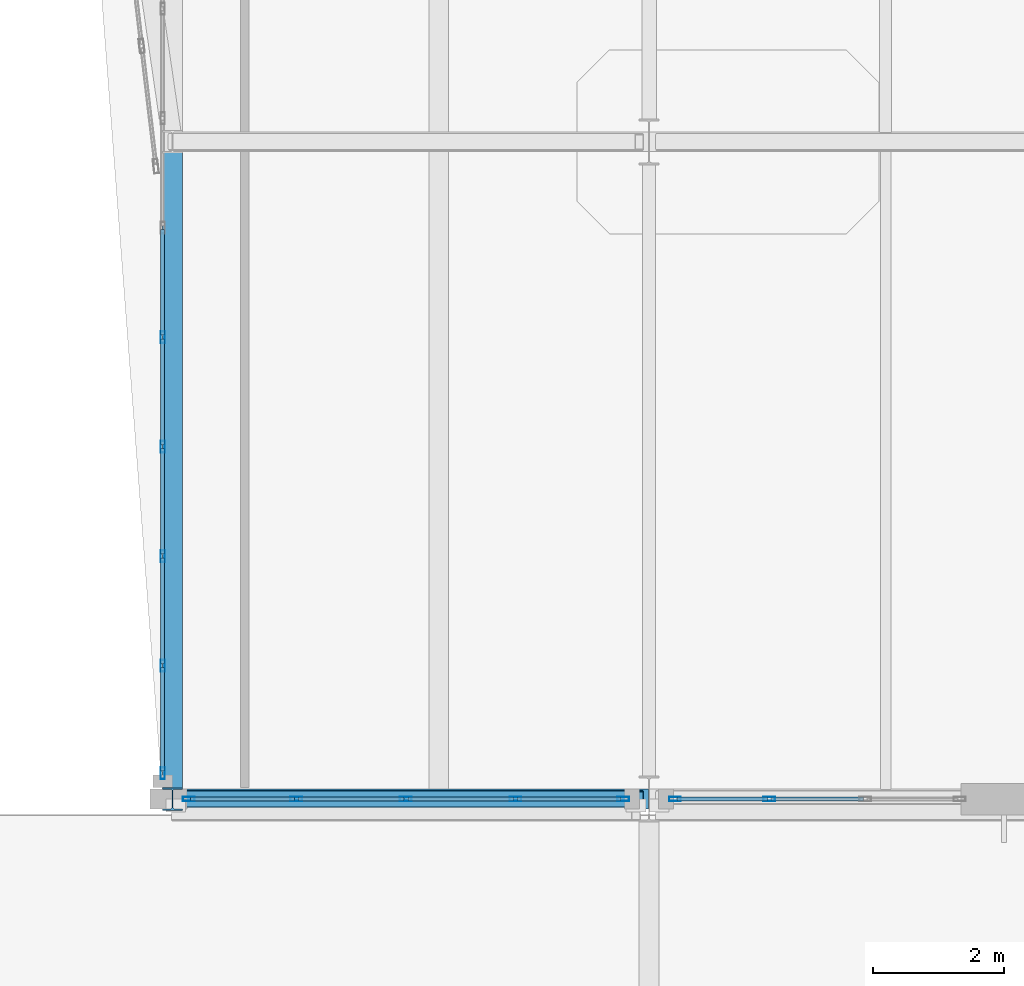
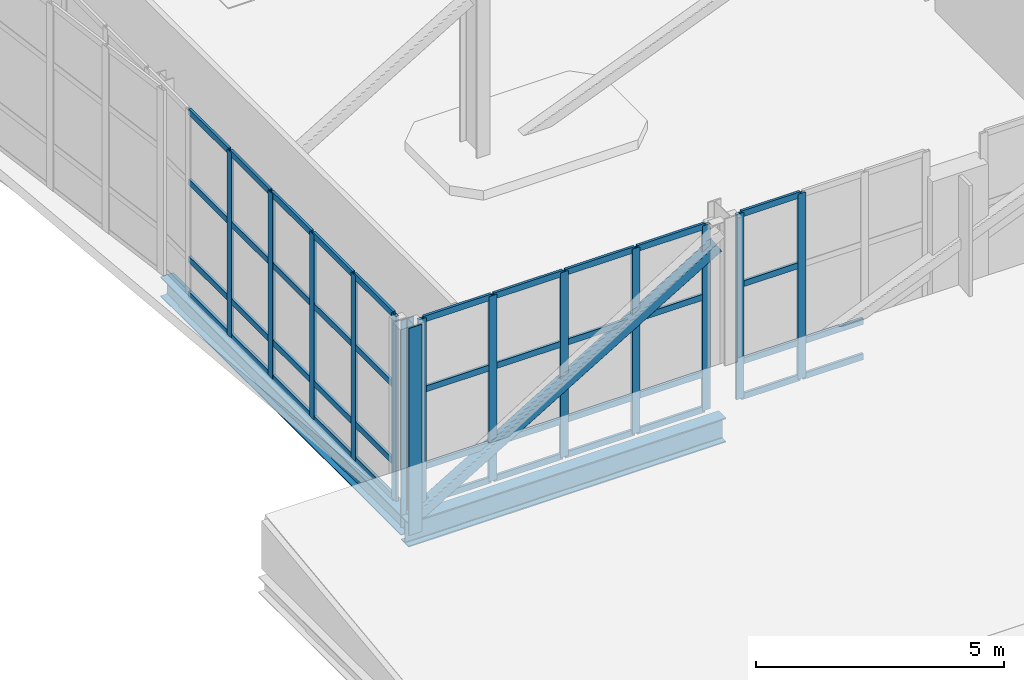
# One storey, part 14 of 100: 56 members, 2 beams, 3 elements without a shape of their own.
"""IFC4 building model written with IfcOpenShell, lengths in metres."""

from ifc_helpers import new_model, si_unit, direction, frame, origin, origin_2d, place, context, subcontext, project, spatial, hollow_rectangle, i_section, extrude, material, layer, layer_set, material_profile, profile_set, type_object, element, aggregate, save


model = new_model("IFC4")

# Units and contexts
model_context = context("Model", 3, precision=1e-05, world=origin(), true_north=direction((0.0, 1.0)))
body_context = subcontext(model_context, "Body", "Model", "MODEL_VIEW")
ifc_project = project(units=[si_unit("LENGTHUNIT", "METRE"), si_unit("AREAUNIT", "SQUARE_METRE"), si_unit("VOLUMEUNIT", "CUBIC_METRE"), si_unit("PLANEANGLEUNIT", "RADIAN"), si_unit("MASSUNIT", "GRAM", prefix="KILO")], contexts=[model_context])

# Site, building, storey
site_placement = place(None, origin())
site = spatial("IfcSite", under=ifc_project, at=site_placement, CompositionType="ELEMENT")
building_placement = place(site_placement, origin())
building = spatial("IfcBuilding", under=site, at=building_placement, Name="Tasgan Crest Museum", CompositionType="ELEMENT")
storey_placement = place(building_placement, frame((0.0, 0.0, 9.60009765625)))
storey = spatial("IfcBuildingStorey", under=building, at=storey_placement, Name="L02", CompositionType="ELEMENT", Elevation=9.60009765625)

# Beams
ifc_material_1 = material(Name="Steel S355K2", Category="steel")
ifc_material_profile_1 = material_profile(ifc_material_1, i_section(OverallWidth=0.300048828125, OverallDepth=0.60009765625, WebThickness=0.015380859375, FlangeThickness=0.030029296875, FilletRadius=0.027099609375, at=origin_2d()), Name="HEB 600")
ifc_profile_set_1 = profile_set([ifc_material_profile_1], Name="Steel S355K2")
beam_type_1 = type_object("IfcBeamType", Name="BM-CANT-G1", PredefinedType="BEAM", material=ifc_profile_set_1)
beam_1_placement = place(storey_placement, frame((3.39990234375, 40.0, -0.56005859375), z_axis=(1.0, 0.0, 0.0), x_axis=(0.0, 1.0, 0.0)))
element("IfcBeam", 1, at=beam_1_placement, inside=storey, type_object=beam_type_1, Name="Cantilever transfer girder BOT E", PredefinedType="BEAM", context=body_context, shape_type="SweptSolid", body=[
    extrude(i_section(OverallWidth=0.300048828125, OverallDepth=0.60009765625, WebThickness=0.015380859375, FlangeThickness=0.030029296875, FilletRadius=0.027099609375, at=origin_2d()), origin(), (0.0, 0.0, 1.0), 7.3935546875),
])
ifc_material_2 = material(Name="Steel S355J2", Category="steel")
ifc_material_profile_2 = material_profile(ifc_material_2, i_section(OverallWidth=0.300048828125, OverallDepth=0.489990234375, WebThickness=0.011962890625, FlangeThickness=0.02294921875, FilletRadius=0.027099609375, at=origin_2d()), Name="HEA 500")
ifc_profile_set_2 = profile_set([ifc_material_profile_2], Name="Steel S355J2")
beam_type_2 = type_object("IfcBeamType", Name="BM-G-HEA500", PredefinedType="BEAM", material=ifc_profile_set_2)
beam_2_placement = place(storey_placement, frame((3.550048828125, 40.14990234375, -0.505126953125), z_axis=(0.0, 1.0, 0.0), x_axis=(-1.0, 0.0, 0.0)))
element("IfcBeam", 2, at=beam_2_placement, inside=storey, type_object=beam_type_2, Name="Cantilever edge beam L02 TIP 40-50", PredefinedType="BEAM", context=body_context, shape_type="SweptSolid", body=[
    extrude(i_section(OverallWidth=0.300048828125, OverallDepth=0.489990234375, WebThickness=0.011962890625, FlangeThickness=0.02294921875, FilletRadius=0.027099609375, at=origin_2d()), origin(), (0.0, 0.0, 1.0), 9.7001953125),
])

# Curtain wall, members
ifc_material_3 = material(Name="Triple-Glazed Aluminium Curtain Wall", Category="aluminium")
ifc_layer_1 = layer(ifc_material_3, 0.179931640625, Name="CW-CANT-TIP-48")
ifc_layer_set_1 = layer_set([ifc_layer_1], Name="Triple-Glazed Aluminium Curtain Wall")
curtain_wall_type_1 = type_object("IfcCurtainWallType", Name="CW-CANT-TIP-48", PredefinedType="NOTDEFINED", material=ifc_layer_set_1)
curtain_wall_1_placement = place(storey_placement, origin())
curtain_wall_1 = element("IfcCurtainWall", 3, at=curtain_wall_1_placement, inside=storey, type_object=curtain_wall_type_1, Name="Curtain wall L02 095", PredefinedType="NOTDEFINED")
ifc_material_4 = material(Name="Anodised Aluminium", Category="aluminium")
ifc_material_profile_3 = material_profile(ifc_material_4, hollow_rectangle(XDim=0.06494140625, YDim=0.179931640625, WallThickness=0.0048828125, at=origin_2d()), Name="ALU MULLION 180x65x5")
ifc_profile_set_3 = profile_set([ifc_material_profile_3], Name="Anodised Aluminium")
member_type_1 = type_object("IfcMemberType", Name="CW-MULLION-180", PredefinedType="MULLION", material=ifc_profile_set_3)
member_1_placement = place(storey_placement, frame((3.39990234375, 47.0283203125, 0.0), z_axis=(0.0, 0.0, 1.0), x_axis=(1.0, 0.0, 0.0)))
member_1 = element("IfcMember", 4, at=member_1_placement, type_object=member_type_1, Name="CW09 mullion 9", PredefinedType="MULLION", context=body_context, shape_type="SweptSolid", body=[
    extrude(hollow_rectangle(XDim=0.06494140625, YDim=0.179931640625, WallThickness=0.0048828125, at=origin_2d()), origin(), (0.0, 0.0, 1.0), 4.559814453125),
])
member_2_placement = place(storey_placement, frame((3.39990234375, 45.362548828125, 0.0), z_axis=(0.0, 0.0, 1.0), x_axis=(1.0, 0.0, 0.0)))
member_2 = element("IfcMember", 5, at=member_2_placement, type_object=member_type_1, Name="CW09 mullion 10", PredefinedType="MULLION", context=body_context, shape_type="SweptSolid", body=[
    extrude(hollow_rectangle(XDim=0.06494140625, YDim=0.179931640625, WallThickness=0.0048828125, at=origin_2d()), origin(), (0.0, 0.0, 1.0), 4.559814453125),
])
member_3_placement = place(storey_placement, frame((3.39990234375, 43.69677734375, 0.0), z_axis=(0.0, 0.0, 1.0), x_axis=(1.0, 0.0, 0.0)))
member_3 = element("IfcMember", 6, at=member_3_placement, type_object=member_type_1, Name="CW09 mullion 11", PredefinedType="MULLION", context=body_context, shape_type="SweptSolid", body=[
    extrude(hollow_rectangle(XDim=0.06494140625, YDim=0.179931640625, WallThickness=0.0048828125, at=origin_2d()), origin(), (0.0, 0.0, 1.0), 4.559814453125),
])
member_4_placement = place(storey_placement, frame((3.39990234375, 42.03076171875, 0.0), z_axis=(0.0, 0.0, 1.0), x_axis=(1.0, 0.0, 0.0)))
member_4 = element("IfcMember", 7, at=member_4_placement, type_object=member_type_1, Name="CW09 mullion 12", PredefinedType="MULLION", context=body_context, shape_type="SweptSolid", body=[
    extrude(hollow_rectangle(XDim=0.06494140625, YDim=0.179931640625, WallThickness=0.0048828125, at=origin_2d()), origin(), (0.0, 0.0, 1.0), 4.559814453125),
])
member_5_placement = place(storey_placement, frame((3.39990234375, 40.39501953125, 0.0), z_axis=(0.0, 0.0, 1.0), x_axis=(1.0, 0.0, 0.0)))
member_5 = element("IfcMember", 8, at=member_5_placement, type_object=member_type_1, Name="CW09 mullion 13", PredefinedType="MULLION", context=body_context, shape_type="SweptSolid", body=[
    extrude(hollow_rectangle(XDim=0.06494140625, YDim=0.179931640625, WallThickness=0.0048828125, at=origin_2d()), origin(), (0.0, 0.0, 1.0), 4.559814453125),
])

ifc_material_5 = material(Name="Triple-Glazed Aluminium Curtain Wall", Category="aluminium")
ifc_layer_2 = layer(ifc_material_5, 0.179931640625, Name="CW-CANT-SIDE-48")
ifc_layer_set_2 = layer_set([ifc_layer_2], Name="Triple-Glazed Aluminium Curtain Wall")
curtain_wall_type_2 = type_object("IfcCurtainWallType", Name="CW-CANT-SIDE-48", PredefinedType="NOTDEFINED", material=ifc_layer_set_2)
curtain_wall_2_placement = place(storey_placement, origin())
curtain_wall_2 = element("IfcCurtainWall", 9, at=curtain_wall_2_placement, inside=storey, type_object=curtain_wall_type_2, Name="Curtain wall L02 096", PredefinedType="NOTDEFINED")
member_6_placement = place(storey_placement, frame((3.794921875, 40.0, 0.0), z_axis=(0.0, 0.0, 1.0), x_axis=(0.0, 1.0, 0.0)))
member_6 = element("IfcMember", 10, at=member_6_placement, type_object=member_type_1, Name="CW11 mullion 1", PredefinedType="MULLION", context=body_context, shape_type="SweptSolid", body=[
    extrude(hollow_rectangle(XDim=0.06494140625, YDim=0.179931640625, WallThickness=0.0048828125, at=origin_2d()), origin(), (0.0, 0.0, 1.0), 4.559814453125),
])
member_7_placement = place(storey_placement, frame((5.4326171875, 40.0, 0.0), z_axis=(0.0, 0.0, 1.0), x_axis=(0.0, 1.0, 0.0)))
member_7 = element("IfcMember", 11, at=member_7_placement, type_object=member_type_1, Name="CW11 mullion 2", PredefinedType="MULLION", context=body_context, shape_type="SweptSolid", body=[
    extrude(hollow_rectangle(XDim=0.06494140625, YDim=0.179931640625, WallThickness=0.0048828125, at=origin_2d()), origin(), (0.0, 0.0, 1.0), 4.559814453125),
])
member_8_placement = place(storey_placement, frame((7.10009765625, 40.0, 0.0), z_axis=(0.0, 0.0, 1.0), x_axis=(0.0, 1.0, 0.0)))
member_8 = element("IfcMember", 12, at=member_8_placement, type_object=member_type_1, Name="CW11 mullion 3", PredefinedType="MULLION", context=body_context, shape_type="SweptSolid", body=[
    extrude(hollow_rectangle(XDim=0.06494140625, YDim=0.179931640625, WallThickness=0.0048828125, at=origin_2d()), origin(), (0.0, 0.0, 1.0), 4.559814453125),
])
member_9_placement = place(storey_placement, frame((8.767578125, 40.0, 0.0), z_axis=(0.0, 0.0, 1.0), x_axis=(0.0, 1.0, 0.0)))
member_9 = element("IfcMember", 13, at=member_9_placement, type_object=member_type_1, Name="CW11 mullion 4", PredefinedType="MULLION", context=body_context, shape_type="SweptSolid", body=[
    extrude(hollow_rectangle(XDim=0.06494140625, YDim=0.179931640625, WallThickness=0.0048828125, at=origin_2d()), origin(), (0.0, 0.0, 1.0), 4.559814453125),
])
member_10_placement = place(storey_placement, frame((10.405029296875, 40.0, 0.0), z_axis=(0.0, 0.0, 1.0), x_axis=(0.0, 1.0, 0.0)))
member_10 = element("IfcMember", 14, at=member_10_placement, type_object=member_type_1, Name="CW11 mullion 5", PredefinedType="MULLION", context=body_context, shape_type="SweptSolid", body=[
    extrude(hollow_rectangle(XDim=0.06494140625, YDim=0.179931640625, WallThickness=0.0048828125, at=origin_2d()), origin(), (0.0, 0.0, 1.0), 4.559814453125),
])

curtain_wall_3_placement = place(storey_placement, origin())
curtain_wall_3 = element("IfcCurtainWall", 15, at=curtain_wall_3_placement, inside=storey, type_object=curtain_wall_type_2, Name="Curtain wall L02 097", PredefinedType="NOTDEFINED")
member_11_placement = place(storey_placement, frame((11.195068359375, 40.0, 0.0), z_axis=(0.0, 0.0, 1.0), x_axis=(0.0, 1.0, 0.0)))
member_11 = element("IfcMember", 16, at=member_11_placement, type_object=member_type_1, Name="CW11 mullion 1", PredefinedType="MULLION", context=body_context, shape_type="SweptSolid", body=[
    extrude(hollow_rectangle(XDim=0.06494140625, YDim=0.179931640625, WallThickness=0.0048828125, at=origin_2d()), origin(), (0.0, 0.0, 1.0), 4.559814453125),
])
member_12_placement = place(storey_placement, frame((12.62841796875, 40.0, 0.0), z_axis=(0.0, 0.0, 1.0), x_axis=(0.0, 1.0, 0.0)))
member_12 = element("IfcMember", 17, at=member_12_placement, type_object=member_type_1, Name="CW11 mullion 2", PredefinedType="MULLION", context=body_context, shape_type="SweptSolid", body=[
    extrude(hollow_rectangle(XDim=0.06494140625, YDim=0.179931640625, WallThickness=0.0048828125, at=origin_2d()), origin(), (0.0, 0.0, 1.0), 4.559814453125),
])

# Member
ifc_material_6 = material(Name="Anodised Aluminium", Category="aluminium")
ifc_material_profile_4 = material_profile(ifc_material_6, hollow_rectangle(XDim=0.06005859375, YDim=0.14990234375, WallThickness=0.0048828125, at=origin_2d()), Name="ALU TRANSOM 150x60x5")
ifc_profile_set_4 = profile_set([ifc_material_profile_4], Name="Anodised Aluminium")
member_type_2 = type_object("IfcMemberType", Name="CW-TRANSOM-150", PredefinedType="USERDEFINED", material=ifc_profile_set_4)
member_13_placement = place(storey_placement, frame((3.39990234375, 48.6640625, 0.02978515625), z_axis=(0.0, -1.0, 0.0), x_axis=(1.0, 0.0, 0.0)))
member_13 = element("IfcMember", 18, at=member_13_placement, type_object=member_type_2, Name="CW09 transom 8.1", ObjectType="TRANSOM", PredefinedType="USERDEFINED", context=body_context, shape_type="SweptSolid", body=[
    extrude(hollow_rectangle(XDim=0.06005859375, YDim=0.14990234375, WallThickness=0.0048828125, at=origin_2d()), origin(), (0.0, 0.0, 1.0), 1.605712890625),
])

member_14_placement = place(storey_placement, frame((3.39990234375, 48.6640625, 0.89990234375), z_axis=(0.0, -1.0, 0.0), x_axis=(1.0, 0.0, 0.0)))
member_14 = element("IfcMember", 19, at=member_14_placement, type_object=member_type_2, Name="CW09 transom 8.2", ObjectType="TRANSOM", PredefinedType="USERDEFINED", context=body_context, shape_type="SweptSolid", body=[
    extrude(hollow_rectangle(XDim=0.06005859375, YDim=0.14990234375, WallThickness=0.0048828125, at=origin_2d()), origin(), (0.0, 0.0, 1.0), 1.605712890625),
])

member_15_placement = place(storey_placement, frame((3.39990234375, 48.6640625, 2.7998046875), z_axis=(0.0, -1.0, 0.0), x_axis=(1.0, 0.0, 0.0)))
member_15 = element("IfcMember", 20, at=member_15_placement, type_object=member_type_2, Name="CW09 transom 8.3", ObjectType="TRANSOM", PredefinedType="USERDEFINED", context=body_context, shape_type="SweptSolid", body=[
    extrude(hollow_rectangle(XDim=0.06005859375, YDim=0.14990234375, WallThickness=0.0048828125, at=origin_2d()), origin(), (0.0, 0.0, 1.0), 1.605712890625),
])

member_16_placement = place(storey_placement, frame((3.39990234375, 48.6640625, 4.52978515625), z_axis=(0.0, -1.0, 0.0), x_axis=(1.0, 0.0, 0.0)))
member_16 = element("IfcMember", 21, at=member_16_placement, type_object=member_type_2, Name="CW09 transom 8.4", ObjectType="TRANSOM", PredefinedType="USERDEFINED", context=body_context, shape_type="SweptSolid", body=[
    extrude(hollow_rectangle(XDim=0.06005859375, YDim=0.14990234375, WallThickness=0.0048828125, at=origin_2d()), origin(), (0.0, 0.0, 1.0), 1.605712890625),
])

member_17_placement = place(storey_placement, frame((3.39990234375, 46.998291015625, 0.02978515625), z_axis=(0.0, -1.0, 0.0), x_axis=(1.0, 0.0, 0.0)))
member_17 = element("IfcMember", 22, at=member_17_placement, type_object=member_type_2, Name="CW09 transom 9.1", ObjectType="TRANSOM", PredefinedType="USERDEFINED", context=body_context, shape_type="SweptSolid", body=[
    extrude(hollow_rectangle(XDim=0.06005859375, YDim=0.14990234375, WallThickness=0.0048828125, at=origin_2d()), origin(), (0.0, 0.0, 1.0), 1.605712890625),
])

member_18_placement = place(storey_placement, frame((3.39990234375, 46.998291015625, 0.89990234375), z_axis=(0.0, -1.0, 0.0), x_axis=(1.0, 0.0, 0.0)))
member_18 = element("IfcMember", 23, at=member_18_placement, type_object=member_type_2, Name="CW09 transom 9.2", ObjectType="TRANSOM", PredefinedType="USERDEFINED", context=body_context, shape_type="SweptSolid", body=[
    extrude(hollow_rectangle(XDim=0.06005859375, YDim=0.14990234375, WallThickness=0.0048828125, at=origin_2d()), origin(), (0.0, 0.0, 1.0), 1.605712890625),
])

member_19_placement = place(storey_placement, frame((3.39990234375, 46.998291015625, 2.7998046875), z_axis=(0.0, -1.0, 0.0), x_axis=(1.0, 0.0, 0.0)))
member_19 = element("IfcMember", 24, at=member_19_placement, type_object=member_type_2, Name="CW09 transom 9.3", ObjectType="TRANSOM", PredefinedType="USERDEFINED", context=body_context, shape_type="SweptSolid", body=[
    extrude(hollow_rectangle(XDim=0.06005859375, YDim=0.14990234375, WallThickness=0.0048828125, at=origin_2d()), origin(), (0.0, 0.0, 1.0), 1.605712890625),
])

member_20_placement = place(storey_placement, frame((3.39990234375, 46.998291015625, 4.52978515625), z_axis=(0.0, -1.0, 0.0), x_axis=(1.0, 0.0, 0.0)))
member_20 = element("IfcMember", 25, at=member_20_placement, type_object=member_type_2, Name="CW09 transom 9.4", ObjectType="TRANSOM", PredefinedType="USERDEFINED", context=body_context, shape_type="SweptSolid", body=[
    extrude(hollow_rectangle(XDim=0.06005859375, YDim=0.14990234375, WallThickness=0.0048828125, at=origin_2d()), origin(), (0.0, 0.0, 1.0), 1.605712890625),
])

member_21_placement = place(storey_placement, frame((3.39990234375, 45.33251953125, 0.02978515625), z_axis=(0.0, -1.0, 0.0), x_axis=(1.0, 0.0, 0.0)))
member_21 = element("IfcMember", 26, at=member_21_placement, type_object=member_type_2, Name="CW09 transom 10.1", ObjectType="TRANSOM", PredefinedType="USERDEFINED", context=body_context, shape_type="SweptSolid", body=[
    extrude(hollow_rectangle(XDim=0.06005859375, YDim=0.14990234375, WallThickness=0.0048828125, at=origin_2d()), origin(), (0.0, 0.0, 1.0), 1.60595703125),
])

member_22_placement = place(storey_placement, frame((3.39990234375, 45.33251953125, 0.89990234375), z_axis=(0.0, -1.0, 0.0), x_axis=(1.0, 0.0, 0.0)))
member_22 = element("IfcMember", 27, at=member_22_placement, type_object=member_type_2, Name="CW09 transom 10.2", ObjectType="TRANSOM", PredefinedType="USERDEFINED", context=body_context, shape_type="SweptSolid", body=[
    extrude(hollow_rectangle(XDim=0.06005859375, YDim=0.14990234375, WallThickness=0.0048828125, at=origin_2d()), origin(), (0.0, 0.0, 1.0), 1.60595703125),
])

member_23_placement = place(storey_placement, frame((3.39990234375, 45.33251953125, 2.7998046875), z_axis=(0.0, -1.0, 0.0), x_axis=(1.0, 0.0, 0.0)))
member_23 = element("IfcMember", 28, at=member_23_placement, type_object=member_type_2, Name="CW09 transom 10.3", ObjectType="TRANSOM", PredefinedType="USERDEFINED", context=body_context, shape_type="SweptSolid", body=[
    extrude(hollow_rectangle(XDim=0.06005859375, YDim=0.14990234375, WallThickness=0.0048828125, at=origin_2d()), origin(), (0.0, 0.0, 1.0), 1.60595703125),
])

member_24_placement = place(storey_placement, frame((3.39990234375, 45.33251953125, 4.52978515625), z_axis=(0.0, -1.0, 0.0), x_axis=(1.0, 0.0, 0.0)))
member_24 = element("IfcMember", 29, at=member_24_placement, type_object=member_type_2, Name="CW09 transom 10.4", ObjectType="TRANSOM", PredefinedType="USERDEFINED", context=body_context, shape_type="SweptSolid", body=[
    extrude(hollow_rectangle(XDim=0.06005859375, YDim=0.14990234375, WallThickness=0.0048828125, at=origin_2d()), origin(), (0.0, 0.0, 1.0), 1.60595703125),
])

member_25_placement = place(storey_placement, frame((3.39990234375, 43.666748046875, 0.02978515625), z_axis=(0.0, -1.0, 0.0), x_axis=(1.0, 0.0, 0.0)))
member_25 = element("IfcMember", 30, at=member_25_placement, type_object=member_type_2, Name="CW09 transom 11.1", ObjectType="TRANSOM", PredefinedType="USERDEFINED", context=body_context, shape_type="SweptSolid", body=[
    extrude(hollow_rectangle(XDim=0.06005859375, YDim=0.14990234375, WallThickness=0.0048828125, at=origin_2d()), origin(), (0.0, 0.0, 1.0), 1.60595703125),
])

member_26_placement = place(storey_placement, frame((3.39990234375, 43.666748046875, 0.89990234375), z_axis=(0.0, -1.0, 0.0), x_axis=(1.0, 0.0, 0.0)))
member_26 = element("IfcMember", 31, at=member_26_placement, type_object=member_type_2, Name="CW09 transom 11.2", ObjectType="TRANSOM", PredefinedType="USERDEFINED", context=body_context, shape_type="SweptSolid", body=[
    extrude(hollow_rectangle(XDim=0.06005859375, YDim=0.14990234375, WallThickness=0.0048828125, at=origin_2d()), origin(), (0.0, 0.0, 1.0), 1.60595703125),
])

member_27_placement = place(storey_placement, frame((3.39990234375, 43.666748046875, 2.7998046875), z_axis=(0.0, -1.0, 0.0), x_axis=(1.0, 0.0, 0.0)))
member_27 = element("IfcMember", 32, at=member_27_placement, type_object=member_type_2, Name="CW09 transom 11.3", ObjectType="TRANSOM", PredefinedType="USERDEFINED", context=body_context, shape_type="SweptSolid", body=[
    extrude(hollow_rectangle(XDim=0.06005859375, YDim=0.14990234375, WallThickness=0.0048828125, at=origin_2d()), origin(), (0.0, 0.0, 1.0), 1.60595703125),
])

member_28_placement = place(storey_placement, frame((3.39990234375, 43.666748046875, 4.52978515625), z_axis=(0.0, -1.0, 0.0), x_axis=(1.0, 0.0, 0.0)))
member_28 = element("IfcMember", 33, at=member_28_placement, type_object=member_type_2, Name="CW09 transom 11.4", ObjectType="TRANSOM", PredefinedType="USERDEFINED", context=body_context, shape_type="SweptSolid", body=[
    extrude(hollow_rectangle(XDim=0.06005859375, YDim=0.14990234375, WallThickness=0.0048828125, at=origin_2d()), origin(), (0.0, 0.0, 1.0), 1.60595703125),
])

member_29_placement = place(storey_placement, frame((3.39990234375, 42.000732421875, 0.02978515625), z_axis=(0.0, -1.0, 0.0), x_axis=(1.0, 0.0, 0.0)))
member_29 = element("IfcMember", 34, at=member_29_placement, type_object=member_type_2, Name="CW09 transom 12.1", ObjectType="TRANSOM", PredefinedType="USERDEFINED", context=body_context, shape_type="SweptSolid", body=[
    extrude(hollow_rectangle(XDim=0.06005859375, YDim=0.14990234375, WallThickness=0.0048828125, at=origin_2d()), origin(), (0.0, 0.0, 1.0), 1.57568359375),
])

member_30_placement = place(storey_placement, frame((3.39990234375, 42.000732421875, 0.89990234375), z_axis=(0.0, -1.0, 0.0), x_axis=(1.0, 0.0, 0.0)))
member_30 = element("IfcMember", 35, at=member_30_placement, type_object=member_type_2, Name="CW09 transom 12.2", ObjectType="TRANSOM", PredefinedType="USERDEFINED", context=body_context, shape_type="SweptSolid", body=[
    extrude(hollow_rectangle(XDim=0.06005859375, YDim=0.14990234375, WallThickness=0.0048828125, at=origin_2d()), origin(), (0.0, 0.0, 1.0), 1.57568359375),
])

member_31_placement = place(storey_placement, frame((3.39990234375, 42.000732421875, 2.7998046875), z_axis=(0.0, -1.0, 0.0), x_axis=(1.0, 0.0, 0.0)))
member_31 = element("IfcMember", 36, at=member_31_placement, type_object=member_type_2, Name="CW09 transom 12.3", ObjectType="TRANSOM", PredefinedType="USERDEFINED", context=body_context, shape_type="SweptSolid", body=[
    extrude(hollow_rectangle(XDim=0.06005859375, YDim=0.14990234375, WallThickness=0.0048828125, at=origin_2d()), origin(), (0.0, 0.0, 1.0), 1.57568359375),
])

member_32_placement = place(storey_placement, frame((3.39990234375, 42.000732421875, 4.52978515625), z_axis=(0.0, -1.0, 0.0), x_axis=(1.0, 0.0, 0.0)))
member_32 = element("IfcMember", 37, at=member_32_placement, type_object=member_type_2, Name="CW09 transom 12.4", ObjectType="TRANSOM", PredefinedType="USERDEFINED", context=body_context, shape_type="SweptSolid", body=[
    extrude(hollow_rectangle(XDim=0.06005859375, YDim=0.14990234375, WallThickness=0.0048828125, at=origin_2d()), origin(), (0.0, 0.0, 1.0), 1.57568359375),
])

aggregate(curtain_wall_1, [member_1, member_2, member_3, member_4, member_5, member_13, member_14, member_15, member_16, member_17, member_18, member_19, member_20, member_21, member_22, member_23, member_24, member_25, member_26, member_27, member_28, member_29, member_30, member_31, member_32])

member_33_placement = place(storey_placement, frame((3.824951171875, 40.0, 0.02978515625), z_axis=(1.0, 0.0, 0.0), x_axis=(0.0, 1.0, 0.0)))
member_33 = element("IfcMember", 38, at=member_33_placement, type_object=member_type_2, Name="CW11 transom 1.1", ObjectType="TRANSOM", PredefinedType="USERDEFINED", context=body_context, shape_type="SweptSolid", body=[
    extrude(hollow_rectangle(XDim=0.06005859375, YDim=0.14990234375, WallThickness=0.0048828125, at=origin_2d()), origin(), (0.0, 0.0, 1.0), 1.57763671875),
])

member_34_placement = place(storey_placement, frame((3.824951171875, 40.0, 0.89990234375), z_axis=(1.0, 0.0, 0.0), x_axis=(0.0, 1.0, 0.0)))
member_34 = element("IfcMember", 39, at=member_34_placement, type_object=member_type_2, Name="CW11 transom 1.2", ObjectType="TRANSOM", PredefinedType="USERDEFINED", context=body_context, shape_type="SweptSolid", body=[
    extrude(hollow_rectangle(XDim=0.06005859375, YDim=0.14990234375, WallThickness=0.0048828125, at=origin_2d()), origin(), (0.0, 0.0, 1.0), 1.57763671875),
])

member_35_placement = place(storey_placement, frame((3.824951171875, 40.0, 2.7998046875), z_axis=(1.0, 0.0, 0.0), x_axis=(0.0, 1.0, 0.0)))
member_35 = element("IfcMember", 40, at=member_35_placement, type_object=member_type_2, Name="CW11 transom 1.3", ObjectType="TRANSOM", PredefinedType="USERDEFINED", context=body_context, shape_type="SweptSolid", body=[
    extrude(hollow_rectangle(XDim=0.06005859375, YDim=0.14990234375, WallThickness=0.0048828125, at=origin_2d()), origin(), (0.0, 0.0, 1.0), 1.57763671875),
])

member_36_placement = place(storey_placement, frame((3.824951171875, 40.0, 4.52978515625), z_axis=(1.0, 0.0, 0.0), x_axis=(0.0, 1.0, 0.0)))
member_36 = element("IfcMember", 41, at=member_36_placement, type_object=member_type_2, Name="CW11 transom 1.4", ObjectType="TRANSOM", PredefinedType="USERDEFINED", context=body_context, shape_type="SweptSolid", body=[
    extrude(hollow_rectangle(XDim=0.06005859375, YDim=0.14990234375, WallThickness=0.0048828125, at=origin_2d()), origin(), (0.0, 0.0, 1.0), 1.57763671875),
])

member_37_placement = place(storey_placement, frame((5.46240234375, 40.0, 0.02978515625), z_axis=(1.0, 0.0, 0.0), x_axis=(0.0, 1.0, 0.0)))
member_37 = element("IfcMember", 42, at=member_37_placement, type_object=member_type_2, Name="CW11 transom 2.1", ObjectType="TRANSOM", PredefinedType="USERDEFINED", context=body_context, shape_type="SweptSolid", body=[
    extrude(hollow_rectangle(XDim=0.06005859375, YDim=0.14990234375, WallThickness=0.0048828125, at=origin_2d()), origin(), (0.0, 0.0, 1.0), 1.607666015625),
])

member_38_placement = place(storey_placement, frame((5.46240234375, 40.0, 0.89990234375), z_axis=(1.0, 0.0, 0.0), x_axis=(0.0, 1.0, 0.0)))
member_38 = element("IfcMember", 43, at=member_38_placement, type_object=member_type_2, Name="CW11 transom 2.2", ObjectType="TRANSOM", PredefinedType="USERDEFINED", context=body_context, shape_type="SweptSolid", body=[
    extrude(hollow_rectangle(XDim=0.06005859375, YDim=0.14990234375, WallThickness=0.0048828125, at=origin_2d()), origin(), (0.0, 0.0, 1.0), 1.607666015625),
])

member_39_placement = place(storey_placement, frame((5.46240234375, 40.0, 2.7998046875), z_axis=(1.0, 0.0, 0.0), x_axis=(0.0, 1.0, 0.0)))
member_39 = element("IfcMember", 44, at=member_39_placement, type_object=member_type_2, Name="CW11 transom 2.3", ObjectType="TRANSOM", PredefinedType="USERDEFINED", context=body_context, shape_type="SweptSolid", body=[
    extrude(hollow_rectangle(XDim=0.06005859375, YDim=0.14990234375, WallThickness=0.0048828125, at=origin_2d()), origin(), (0.0, 0.0, 1.0), 1.607666015625),
])

member_40_placement = place(storey_placement, frame((5.46240234375, 40.0, 4.52978515625), z_axis=(1.0, 0.0, 0.0), x_axis=(0.0, 1.0, 0.0)))
member_40 = element("IfcMember", 45, at=member_40_placement, type_object=member_type_2, Name="CW11 transom 2.4", ObjectType="TRANSOM", PredefinedType="USERDEFINED", context=body_context, shape_type="SweptSolid", body=[
    extrude(hollow_rectangle(XDim=0.06005859375, YDim=0.14990234375, WallThickness=0.0048828125, at=origin_2d()), origin(), (0.0, 0.0, 1.0), 1.607666015625),
])

member_41_placement = place(storey_placement, frame((7.1298828125, 40.0, 0.02978515625), z_axis=(1.0, 0.0, 0.0), x_axis=(0.0, 1.0, 0.0)))
member_41 = element("IfcMember", 46, at=member_41_placement, type_object=member_type_2, Name="CW11 transom 3.1", ObjectType="TRANSOM", PredefinedType="USERDEFINED", context=body_context, shape_type="SweptSolid", body=[
    extrude(hollow_rectangle(XDim=0.06005859375, YDim=0.14990234375, WallThickness=0.0048828125, at=origin_2d()), origin(), (0.0, 0.0, 1.0), 1.607666015625),
])

member_42_placement = place(storey_placement, frame((7.1298828125, 40.0, 0.89990234375), z_axis=(1.0, 0.0, 0.0), x_axis=(0.0, 1.0, 0.0)))
member_42 = element("IfcMember", 47, at=member_42_placement, type_object=member_type_2, Name="CW11 transom 3.2", ObjectType="TRANSOM", PredefinedType="USERDEFINED", context=body_context, shape_type="SweptSolid", body=[
    extrude(hollow_rectangle(XDim=0.06005859375, YDim=0.14990234375, WallThickness=0.0048828125, at=origin_2d()), origin(), (0.0, 0.0, 1.0), 1.607666015625),
])

member_43_placement = place(storey_placement, frame((7.1298828125, 40.0, 2.7998046875), z_axis=(1.0, 0.0, 0.0), x_axis=(0.0, 1.0, 0.0)))
member_43 = element("IfcMember", 48, at=member_43_placement, type_object=member_type_2, Name="CW11 transom 3.3", ObjectType="TRANSOM", PredefinedType="USERDEFINED", context=body_context, shape_type="SweptSolid", body=[
    extrude(hollow_rectangle(XDim=0.06005859375, YDim=0.14990234375, WallThickness=0.0048828125, at=origin_2d()), origin(), (0.0, 0.0, 1.0), 1.607666015625),
])

member_44_placement = place(storey_placement, frame((7.1298828125, 40.0, 4.52978515625), z_axis=(1.0, 0.0, 0.0), x_axis=(0.0, 1.0, 0.0)))
member_44 = element("IfcMember", 49, at=member_44_placement, type_object=member_type_2, Name="CW11 transom 3.4", ObjectType="TRANSOM", PredefinedType="USERDEFINED", context=body_context, shape_type="SweptSolid", body=[
    extrude(hollow_rectangle(XDim=0.06005859375, YDim=0.14990234375, WallThickness=0.0048828125, at=origin_2d()), origin(), (0.0, 0.0, 1.0), 1.607666015625),
])

member_45_placement = place(storey_placement, frame((8.797607421875, 40.0, 0.02978515625), z_axis=(1.0, 0.0, 0.0), x_axis=(0.0, 1.0, 0.0)))
member_45 = element("IfcMember", 50, at=member_45_placement, type_object=member_type_2, Name="CW11 transom 4.1", ObjectType="TRANSOM", PredefinedType="USERDEFINED", context=body_context, shape_type="SweptSolid", body=[
    extrude(hollow_rectangle(XDim=0.06005859375, YDim=0.14990234375, WallThickness=0.0048828125, at=origin_2d()), origin(), (0.0, 0.0, 1.0), 1.577392578125),
])

member_46_placement = place(storey_placement, frame((8.797607421875, 40.0, 0.89990234375), z_axis=(1.0, 0.0, 0.0), x_axis=(0.0, 1.0, 0.0)))
member_46 = element("IfcMember", 51, at=member_46_placement, type_object=member_type_2, Name="CW11 transom 4.2", ObjectType="TRANSOM", PredefinedType="USERDEFINED", context=body_context, shape_type="SweptSolid", body=[
    extrude(hollow_rectangle(XDim=0.06005859375, YDim=0.14990234375, WallThickness=0.0048828125, at=origin_2d()), origin(), (0.0, 0.0, 1.0), 1.577392578125),
])

member_47_placement = place(storey_placement, frame((8.797607421875, 40.0, 2.7998046875), z_axis=(1.0, 0.0, 0.0), x_axis=(0.0, 1.0, 0.0)))
member_47 = element("IfcMember", 52, at=member_47_placement, type_object=member_type_2, Name="CW11 transom 4.3", ObjectType="TRANSOM", PredefinedType="USERDEFINED", context=body_context, shape_type="SweptSolid", body=[
    extrude(hollow_rectangle(XDim=0.06005859375, YDim=0.14990234375, WallThickness=0.0048828125, at=origin_2d()), origin(), (0.0, 0.0, 1.0), 1.577392578125),
])

member_48_placement = place(storey_placement, frame((8.797607421875, 40.0, 4.52978515625), z_axis=(1.0, 0.0, 0.0), x_axis=(0.0, 1.0, 0.0)))
member_48 = element("IfcMember", 53, at=member_48_placement, type_object=member_type_2, Name="CW11 transom 4.4", ObjectType="TRANSOM", PredefinedType="USERDEFINED", context=body_context, shape_type="SweptSolid", body=[
    extrude(hollow_rectangle(XDim=0.06005859375, YDim=0.14990234375, WallThickness=0.0048828125, at=origin_2d()), origin(), (0.0, 0.0, 1.0), 1.577392578125),
])

aggregate(curtain_wall_2, [member_6, member_7, member_8, member_9, member_10, member_33, member_34, member_35, member_36, member_37, member_38, member_39, member_40, member_41, member_42, member_43, member_44, member_45, member_46, member_47, member_48])

member_49_placement = place(storey_placement, frame((11.22509765625, 40.0, 0.02978515625), z_axis=(1.0, 0.0, 0.0), x_axis=(0.0, 1.0, 0.0)))
member_49 = element("IfcMember", 54, at=member_49_placement, type_object=member_type_2, Name="CW11 transom 1.1", ObjectType="TRANSOM", PredefinedType="USERDEFINED", context=body_context, shape_type="SweptSolid", body=[
    extrude(hollow_rectangle(XDim=0.06005859375, YDim=0.14990234375, WallThickness=0.0048828125, at=origin_2d()), origin(), (0.0, 0.0, 1.0), 1.373291015625),
])

member_50_placement = place(storey_placement, frame((11.22509765625, 40.0, 0.89990234375), z_axis=(1.0, 0.0, 0.0), x_axis=(0.0, 1.0, 0.0)))
member_50 = element("IfcMember", 55, at=member_50_placement, type_object=member_type_2, Name="CW11 transom 1.2", ObjectType="TRANSOM", PredefinedType="USERDEFINED", context=body_context, shape_type="SweptSolid", body=[
    extrude(hollow_rectangle(XDim=0.06005859375, YDim=0.14990234375, WallThickness=0.0048828125, at=origin_2d()), origin(), (0.0, 0.0, 1.0), 1.373291015625),
])

member_51_placement = place(storey_placement, frame((11.22509765625, 40.0, 2.7998046875), z_axis=(1.0, 0.0, 0.0), x_axis=(0.0, 1.0, 0.0)))
member_51 = element("IfcMember", 56, at=member_51_placement, type_object=member_type_2, Name="CW11 transom 1.3", ObjectType="TRANSOM", PredefinedType="USERDEFINED", context=body_context, shape_type="SweptSolid", body=[
    extrude(hollow_rectangle(XDim=0.06005859375, YDim=0.14990234375, WallThickness=0.0048828125, at=origin_2d()), origin(), (0.0, 0.0, 1.0), 1.373291015625),
])

member_52_placement = place(storey_placement, frame((11.22509765625, 40.0, 4.52978515625), z_axis=(1.0, 0.0, 0.0), x_axis=(0.0, 1.0, 0.0)))
member_52 = element("IfcMember", 57, at=member_52_placement, type_object=member_type_2, Name="CW11 transom 1.4", ObjectType="TRANSOM", PredefinedType="USERDEFINED", context=body_context, shape_type="SweptSolid", body=[
    extrude(hollow_rectangle(XDim=0.06005859375, YDim=0.14990234375, WallThickness=0.0048828125, at=origin_2d()), origin(), (0.0, 0.0, 1.0), 1.373291015625),
])

member_53_placement = place(storey_placement, frame((12.658447265625, 40.0, 0.02978515625), z_axis=(1.0, 0.0, 0.0), x_axis=(0.0, 1.0, 0.0)))
member_53 = element("IfcMember", 58, at=member_53_placement, type_object=member_type_2, Name="CW11 transom 2.1", ObjectType="TRANSOM", PredefinedType="USERDEFINED", context=body_context, shape_type="SweptSolid", body=[
    extrude(hollow_rectangle(XDim=0.06005859375, YDim=0.14990234375, WallThickness=0.0048828125, at=origin_2d()), origin(), (0.0, 0.0, 1.0), 1.4033203125),
])

member_54_placement = place(storey_placement, frame((12.658447265625, 40.0, 0.89990234375), z_axis=(1.0, 0.0, 0.0), x_axis=(0.0, 1.0, 0.0)))
member_54 = element("IfcMember", 59, at=member_54_placement, type_object=member_type_2, Name="CW11 transom 2.2", ObjectType="TRANSOM", PredefinedType="USERDEFINED", context=body_context, shape_type="SweptSolid", body=[
    extrude(hollow_rectangle(XDim=0.06005859375, YDim=0.14990234375, WallThickness=0.0048828125, at=origin_2d()), origin(), (0.0, 0.0, 1.0), 1.4033203125),
])

aggregate(curtain_wall_3, [member_11, member_12, member_49, member_50, member_51, member_52, member_53, member_54])

# Members
ifc_material_7 = material(Name="Steel S355K2", Category="steel")
ifc_material_profile_5 = material_profile(ifc_material_7, hollow_rectangle(XDim=0.260009765625, YDim=0.260009765625, WallThickness=0.01416015625, InnerFilletRadius=0.01416015625, OuterFilletRadius=0.0283203125, at=origin_2d()), Name="SHS 260x260x14.2")
ifc_profile_set_5 = profile_set([ifc_material_profile_5], Name="Steel S355K2")
member_type_3 = type_object("IfcMemberType", Name="TR-CANT-DIAG", PredefinedType="BRACE", material=ifc_profile_set_5)
member_55_placement = place(storey_placement, frame((3.550048828125, 40.0, -0.280029296875), z_axis=(0.858553918599, 0.0, 0.51272328683), x_axis=(0.0, 1.0, 0.0)))
element("IfcMember", 60, at=member_55_placement, inside=storey, type_object=member_type_3, Name="Transfer truss diagonal L02 E-1", PredefinedType="BRACE", context=body_context, shape_type="SweptSolid", body=[
    extrude(hollow_rectangle(XDim=0.260009765625, YDim=0.260009765625, WallThickness=0.01416015625, InnerFilletRadius=0.01416015625, OuterFilletRadius=0.0283203125, at=origin_2d()), origin(), (0.0, 0.0, 1.0), 8.26953125),
])
ifc_material_8 = material(Name="Steel S355K2", Category="steel")
ifc_material_profile_6 = material_profile(ifc_material_8, i_section(OverallWidth=0.300048828125, OverallDepth=0.340087890625, WebThickness=0.011962890625, FlangeThickness=0.021484375, FilletRadius=0.027099609375, at=origin_2d()), Name="HEB 340")
ifc_profile_set_6 = profile_set([ifc_material_profile_6], Name="Steel S355K2")
member_type_4 = type_object("IfcMemberType", Name="TR-CANT-POST", PredefinedType="POST", material=ifc_profile_set_6)
member_56_placement = place(storey_placement, frame((3.550048828125, 40.0, -0.56005859375), z_axis=(0.0, 0.0, 1.0), x_axis=(1.0, 0.0, 0.0)))
element("IfcMember", 61, at=member_56_placement, inside=storey, type_object=member_type_4, Name="Cantilever truss tip post L02 E", PredefinedType="POST", context=body_context, shape_type="SweptSolid", body=[
    extrude(i_section(OverallWidth=0.300048828125, OverallDepth=0.340087890625, WebThickness=0.011962890625, FlangeThickness=0.021484375, FilletRadius=0.027099609375, at=origin_2d()), origin(), (0.0, 0.0, 1.0), 5.099853515625),
])

save(model, "model.ifc")
